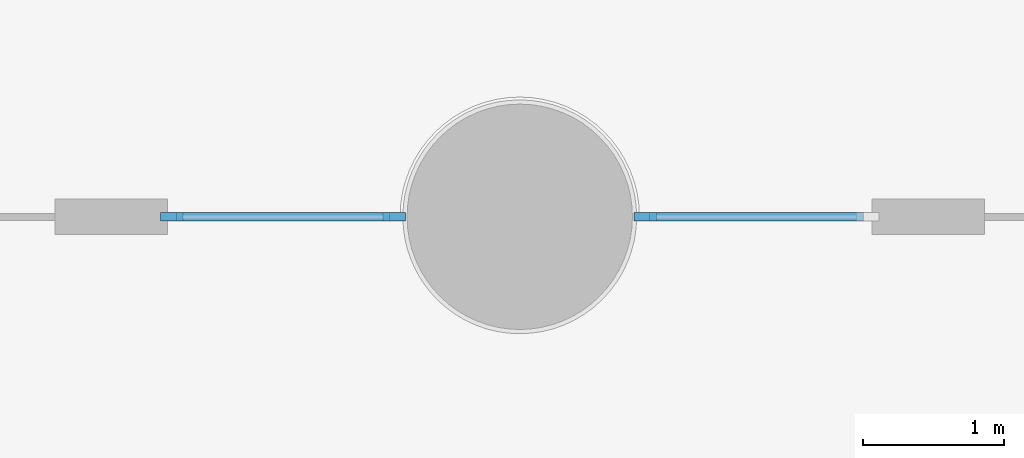
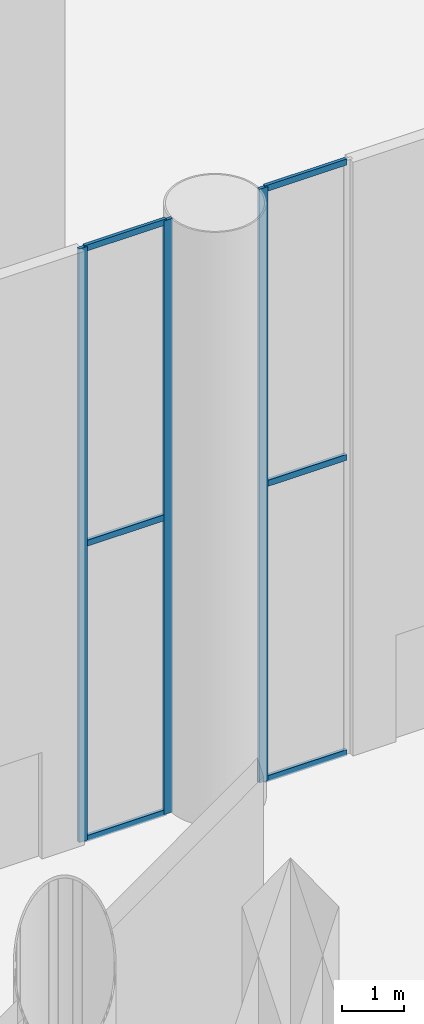
# One storey, part 7 of 52: 9 members, 2 elements without a shape of their own.
"""IFC4 building model written with IfcOpenShell, lengths in metres."""

import ifcopenshell
import ifcopenshell.guid

model = None  # the IFC model being written
_history = None  # IfcOwnerHistory: only IFC2X3 demands one
_inside = {}  # id of a spatial element -> (the spatial element, [elements in it])
_under = {}  # id of a project, library or spatial element -> (it, [spatial elements below it])
_declared = {}  # id of a project -> (the project, [libraries it declares])
_typed = {}  # id of a type object -> (the type object, [elements of that type])
_made_of = {}  # id of a material, layer set ... -> (it, [elements and type objects made of it])


def new_model(schema):
    """Start an empty IFC model of exactly this schema.

    Asked for "IFC4X3", IfcOpenShell would pick the latest addendum, in which some entities
    have other attributes; the version numbers below select the first issue.
    IFC2X3 requires an IfcOwnerHistory on every rooted entity: one is made here for all.
    """
    global model, _history
    if schema == "IFC4X3":
        model = ifcopenshell.file(schema_version=(4, 3, 0, 0))
    else:
        model = ifcopenshell.file(schema=schema)
    _inside.clear()
    _under.clear()
    _declared.clear()
    _typed.clear()
    _made_of.clear()
    _history = None
    if model.schema == "IFC2X3":
        org = make("IfcOrganization", Name="unknown")
        user = make(
            "IfcPersonAndOrganization",
            ThePerson=make("IfcPerson", FamilyName="unknown"),
            TheOrganization=org,
        )
        app = make(
            "IfcApplication",
            ApplicationDeveloper=org,
            Version="unknown",
            ApplicationFullName="unknown",
            ApplicationIdentifier="unknown",
        )
        _history = make(
            "IfcOwnerHistory",
            OwningUser=user,
            OwningApplication=app,
            ChangeAction="ADDED",
            CreationDate=0,
        )
    return model


def make(cls, **values):
    """One entity of the class cls with the attributes given. An attribute that is None is left unset."""
    return model.create_entity(
        cls, **{name: value for name, value in values.items() if value is not None}
    )


def rooted(cls, **values):
    """An entity with a GlobalId (a new one), such as an element, a storey or a relation."""
    return make(cls, GlobalId=ifcopenshell.guid.new(), OwnerHistory=_history, **values)


def si_unit(unit_type, name, prefix=None):
    """IfcSIUnit, for example si_unit("LENGTHUNIT", "METRE", prefix="MILLI")."""
    return make("IfcSIUnit", UnitType=unit_type, Prefix=prefix, Name=name)


def assignment(units):
    """IfcUnitAssignment: the units of a project."""
    return None if units is None else make("IfcUnitAssignment", Units=units)


def point(xyz):
    """IfcCartesianPoint."""
    return None if xyz is None else make("IfcCartesianPoint", Coordinates=xyz)


def direction(xyz):
    """IfcDirection."""
    return None if xyz is None else make("IfcDirection", DirectionRatios=xyz)


def frame(location, z_axis=None, x_axis=None):
    """IfcAxis2Placement3D, a coordinate frame: its origin and axes. An axis left out is left unset."""
    return make(
        "IfcAxis2Placement3D",
        Location=point(location),
        Axis=direction(z_axis),
        RefDirection=direction(x_axis),
    )


def frame_2d(location, x_axis=None):
    """IfcAxis2Placement2D, a coordinate frame in the plane: its origin and x axis."""
    return make(
        "IfcAxis2Placement2D", Location=point(location), RefDirection=direction(x_axis)
    )


def origin():
    """The frame at (0, 0, 0) with its axes left unset."""
    return frame((0.0, 0.0, 0.0))


def origin_2d():
    """The frame at (0, 0) in the plane with its x axis left unset."""
    return frame_2d((0.0, 0.0))


def place(relative_to, where):
    """IfcLocalPlacement: puts the frame where relative to a parent placement (None: the world)."""
    return make(
        "IfcLocalPlacement", PlacementRelTo=relative_to, RelativePlacement=where
    )


def context(
    kind, dimensions, precision=None, world=None, true_north=None, identifier=None
):
    """IfcGeometricRepresentationContext, for example the 3D "Model" context."""
    return make(
        "IfcGeometricRepresentationContext",
        ContextIdentifier=identifier,
        ContextType=kind,
        CoordinateSpaceDimension=dimensions,
        Precision=precision,
        WorldCoordinateSystem=world,
        TrueNorth=true_north,
    )


def subcontext(parent, identifier, kind, view, scale=None):
    """IfcGeometricRepresentationSubContext, for example "Body" below "Model"."""
    return make(
        "IfcGeometricRepresentationSubContext",
        ContextIdentifier=identifier,
        ContextType=kind,
        ParentContext=parent,
        TargetScale=scale,
        TargetView=view,
    )


def project(units=None, contexts=None):
    """IfcProject with its units and contexts."""
    return rooted(
        "IfcProject",
        Name="project",
        RepresentationContexts=contexts,
        UnitsInContext=assignment(units),
    )


def spatial(cls, under=None, at=None, **own):
    """A site, building, storey or space (cls), placed at a placement, below another one or the project."""
    s = rooted(cls, ObjectPlacement=at, **own)
    if under is not None:
        _under.setdefault(under.id(), (under, []))[1].append(s)
    return s


def profile(cls, at=None, kind="AREA", **sizes):
    """A parametric profile (cls). Its sizes go by their IFC names, for example OverallWidth=200.0."""
    return make(cls, ProfileType=kind, Position=at, **sizes)


def rectangle(**sizes):
    """IfcRectangleProfileDef."""
    return profile("IfcRectangleProfileDef", **sizes)


def extrude(swept, where, along, depth):
    """IfcExtrudedAreaSolid: the profile swept, set in the frame where, extruded along a direction by depth."""
    return make(
        "IfcExtrudedAreaSolid",
        SweptArea=swept,
        Position=where,
        ExtrudedDirection=direction(along),
        Depth=depth,
    )


def shape(context_of_items, identifier, shape_type, items):
    """IfcShapeRepresentation: the items that make up one representation, for example the "Body"."""
    return make(
        "IfcShapeRepresentation",
        ContextOfItems=context_of_items,
        RepresentationIdentifier=identifier,
        RepresentationType=shape_type,
        Items=items,
    )


def material(Name=None, Category=None):
    """IfcMaterial."""
    return make("IfcMaterial", Name=Name, Category=Category)


def material_profile(
    of_material, cross_section, Name=None, Category=None, Priority=None
):
    """IfcMaterialProfile: a cross section and its material."""
    return make(
        "IfcMaterialProfile",
        Name=Name,
        Material=of_material,
        Profile=cross_section,
        Priority=Priority,
        Category=Category,
    )


def profile_set(profiles, Name=None, composite=None):
    """IfcMaterialProfileSet."""
    return make(
        "IfcMaterialProfileSet",
        Name=Name,
        MaterialProfiles=profiles,
        CompositeProfile=composite,
    )


def made_of(thing, what):
    """Note that an element or type object is made of a material, layer set ...; save() writes the relation."""
    if what is not None:
        _made_of.setdefault(what.id(), (what, []))[1].append(thing)
    return thing


def type_object(cls, material=None, **own):
    """A type object (cls), such as IfcWallType, which elements share."""
    return made_of(rooted(cls, **own), material)


def element(
    cls,
    number,
    at=None,
    inside=None,
    cuts=None,
    type_object=None,
    material=None,
    context=None,
    identifier="Body",
    shape_type=None,
    held_by="IfcProductDefinitionShape",
    body=None,
    shapes=None,
    **own,
):
    """One element of the class cls, such as IfcWall. Its Tag is "e" and its number.

    at: its placement. inside: the storey or other place that contains it. cuts: it is an
    opening in that element (IfcRelVoidsElement). A single representation is given by context,
    identifier, shape_type and body (its items); several are given by shapes. held_by: the class
    of the entity that holds the representations. save() writes the other relations.
    """
    e = rooted(cls, Tag="e%d" % number, ObjectPlacement=at, **own)
    if body is not None:
        shapes = [shape(context, identifier, shape_type, body)]
    if shapes is not None:
        e.Representation = make(held_by, Representations=shapes)
    if inside is not None:
        _inside.setdefault(inside.id(), (inside, []))[1].append(e)
    if cuts is not None:
        rooted(
            "IfcRelVoidsElement", RelatingBuildingElement=cuts, RelatedOpeningElement=e
        )
    if type_object is not None:
        _typed.setdefault(type_object.id(), (type_object, []))[1].append(e)
    return made_of(e, material)


def aggregate(whole, parts):
    """IfcRelAggregates: a whole, such as a stair, and the parts it consists of."""
    return rooted("IfcRelAggregates", RelatingObject=whole, RelatedObjects=parts)


def save(model, path):
    """Write the relations noted so far, then the file.

    IfcRelAggregates (storeys below a building ...), IfcRelContainedInSpatialStructure (elements
    in a storey), IfcRelDefinesByType, IfcRelAssociatesMaterial and IfcRelDeclares: one each for
    every whole, place, type object, material and project.
    """
    for whole, parts in _under.values():
        aggregate(whole, parts)
    for where, things in _inside.values():
        rooted(
            "IfcRelContainedInSpatialStructure",
            RelatedElements=things,
            RelatingStructure=where,
        )
    for kind, things in _typed.values():
        rooted("IfcRelDefinesByType", RelatedObjects=things, RelatingType=kind)
    for what, things in _made_of.values():
        rooted("IfcRelAssociatesMaterial", RelatedObjects=things, RelatingMaterial=what)
    for by, libraries in _declared.values():
        rooted("IfcRelDeclares", RelatingContext=by, RelatedDefinitions=libraries)
    model.write(path)


model = new_model("IFC4")

# Units and contexts
model_context = context("Model", 3, precision=1e-05, world=origin(), true_north=direction((0.0, 1.0)))
body_context = subcontext(model_context, "Body", "Model", "MODEL_VIEW")
ifc_project = project(units=[si_unit("LENGTHUNIT", "METRE"), si_unit("AREAUNIT", "SQUARE_METRE"), si_unit("VOLUMEUNIT", "CUBIC_METRE"), si_unit("PLANEANGLEUNIT", "RADIAN"), si_unit("MASSUNIT", "GRAM", prefix="KILO")], contexts=[model_context])

# Site, building, storey
site_placement = place(None, origin())
site = spatial("IfcSite", under=ifc_project, at=site_placement, CompositionType="ELEMENT")
building_placement = place(site_placement, origin())
building = spatial("IfcBuilding", under=site, at=building_placement, Name="Cantera Rosa Tower", CompositionType="ELEMENT")
storey_placement = place(building_placement, origin())
storey = spatial("IfcBuildingStorey", under=building, at=storey_placement, Name="L00", CompositionType="ELEMENT", Elevation=0.0)

# Curtain wall, members
ifc_material_1 = material(Name="Glass", Category="glass")
curtain_wall_type = type_object("IfcCurtainWallType", Name="Pavilion curtain wall", PredefinedType="NOTDEFINED", material=ifc_material_1)
curtain_wall_1_placement = place(storey_placement, origin())
curtain_wall_1 = element("IfcCurtainWall", 1, at=curtain_wall_1_placement, inside=storey, type_object=curtain_wall_type, Name="Pavilion curtain wall HOTEL 3", PredefinedType="NOTDEFINED")
ifc_material_2 = material(Name="Aluminium", Category="aluminium")
ifc_material_profile_1 = material_profile(ifc_material_2, rectangle(XDim=0.06005859375, YDim=0.159912109375, at=origin_2d()), Name="Mullion pavilion 60x160")
ifc_profile_set_1 = profile_set([ifc_material_profile_1], Name="Aluminium")
member_type_1 = type_object("IfcMemberType", Name="Mullion pavilion 60x160", PredefinedType="MULLION", material=ifc_profile_set_1)
member_1_placement = place(storey_placement, frame((-2.469970703125, 21.0, 0.0), z_axis=(0.0, 0.0, 1.0), x_axis=(0.0, 1.0, 0.0)))
member_1 = element("IfcMember", 2, at=member_1_placement, type_object=member_type_1, Name="CW6 mullion 1", PredefinedType="MULLION", context=body_context, shape_type="SweptSolid", body=[
    extrude(rectangle(XDim=0.06005859375, YDim=0.159912109375, at=origin_2d()), origin(), (0.0, 0.0, 1.0), 11.699951171875),
])
member_2_placement = place(storey_placement, frame((-0.889892578125, 21.0, 0.0), z_axis=(0.0, 0.0, 1.0), x_axis=(0.0, 1.0, 0.0)))
member_2 = element("IfcMember", 3, at=member_2_placement, type_object=member_type_1, Name="CW6 mullion 2", PredefinedType="MULLION", context=body_context, shape_type="SweptSolid", body=[
    extrude(rectangle(XDim=0.06005859375, YDim=0.159912109375, at=origin_2d()), origin(), (0.0, 0.0, 1.0), 11.699951171875),
])

# Curtain wall, member
curtain_wall_2_placement = place(storey_placement, origin())
curtain_wall_2 = element("IfcCurtainWall", 4, at=curtain_wall_2_placement, inside=storey, type_object=curtain_wall_type, Name="Pavilion curtain wall HOTEL 3", PredefinedType="NOTDEFINED")
member_3_placement = place(storey_placement, frame((0.889892578125, 21.0, 0.0), z_axis=(0.0, 0.0, 1.0), x_axis=(0.0, 1.0, 0.0)))
member_3 = element("IfcMember", 5, at=member_3_placement, type_object=member_type_1, Name="CW6 mullion 1", PredefinedType="MULLION", context=body_context, shape_type="SweptSolid", body=[
    extrude(rectangle(XDim=0.06005859375, YDim=0.159912109375, at=origin_2d()), origin(), (0.0, 0.0, 1.0), 11.699951171875),
])

# Member
ifc_material_3 = material(Name="Aluminium", Category="aluminium")
ifc_material_profile_2 = material_profile(ifc_material_3, rectangle(XDim=0.06005859375, YDim=0.1201171875, at=origin_2d()), Name="Transom pavilion 60x120")
ifc_profile_set_2 = profile_set([ifc_material_profile_2], Name="Aluminium")
member_type_2 = type_object("IfcMemberType", Name="Transom pavilion 60x120", PredefinedType="USERDEFINED", material=ifc_profile_set_2)
member_4_placement = place(storey_placement, frame((-2.43994140625, 21.0, 0.030029296875), z_axis=(1.0, 0.0, 0.0), x_axis=(0.0, 1.0, 0.0)))
member_4 = element("IfcMember", 6, at=member_4_placement, type_object=member_type_2, Name="CW6 transom 1.1", ObjectType="TRANSOM", PredefinedType="USERDEFINED", context=body_context, shape_type="SweptSolid", body=[
    extrude(rectangle(XDim=0.06005859375, YDim=0.1201171875, at=origin_2d()), origin(), (0.0, 0.0, 1.0), 1.52001953125),
])

member_5_placement = place(storey_placement, frame((-2.43994140625, 21.0, 5.85009765625), z_axis=(1.0, 0.0, 0.0), x_axis=(0.0, 1.0, 0.0)))
member_5 = element("IfcMember", 7, at=member_5_placement, type_object=member_type_2, Name="CW6 transom 1.2", ObjectType="TRANSOM", PredefinedType="USERDEFINED", context=body_context, shape_type="SweptSolid", body=[
    extrude(rectangle(XDim=0.06005859375, YDim=0.1201171875, at=origin_2d()), origin(), (0.0, 0.0, 1.0), 1.52001953125),
])

member_6_placement = place(storey_placement, frame((-2.43994140625, 21.0, 11.669921875), z_axis=(1.0, 0.0, 0.0), x_axis=(0.0, 1.0, 0.0)))
member_6 = element("IfcMember", 8, at=member_6_placement, type_object=member_type_2, Name="CW6 transom 1.3", ObjectType="TRANSOM", PredefinedType="USERDEFINED", context=body_context, shape_type="SweptSolid", body=[
    extrude(rectangle(XDim=0.06005859375, YDim=0.1201171875, at=origin_2d()), origin(), (0.0, 0.0, 1.0), 1.52001953125),
])

aggregate(curtain_wall_1, [member_1, member_2, member_4, member_5, member_6])

member_7_placement = place(storey_placement, frame((0.919921875, 21.0, 0.030029296875), z_axis=(1.0, 0.0, 0.0), x_axis=(0.0, 1.0, 0.0)))
member_7 = element("IfcMember", 9, at=member_7_placement, type_object=member_type_2, Name="CW6 transom 1.1", ObjectType="TRANSOM", PredefinedType="USERDEFINED", context=body_context, shape_type="SweptSolid", body=[
    extrude(rectangle(XDim=0.06005859375, YDim=0.1201171875, at=origin_2d()), origin(), (0.0, 0.0, 1.0), 1.52001953125),
])

member_8_placement = place(storey_placement, frame((0.919921875, 21.0, 5.85009765625), z_axis=(1.0, 0.0, 0.0), x_axis=(0.0, 1.0, 0.0)))
member_8 = element("IfcMember", 10, at=member_8_placement, type_object=member_type_2, Name="CW6 transom 1.2", ObjectType="TRANSOM", PredefinedType="USERDEFINED", context=body_context, shape_type="SweptSolid", body=[
    extrude(rectangle(XDim=0.06005859375, YDim=0.1201171875, at=origin_2d()), origin(), (0.0, 0.0, 1.0), 1.52001953125),
])

member_9_placement = place(storey_placement, frame((0.919921875, 21.0, 11.669921875), z_axis=(1.0, 0.0, 0.0), x_axis=(0.0, 1.0, 0.0)))
member_9 = element("IfcMember", 11, at=member_9_placement, type_object=member_type_2, Name="CW6 transom 1.3", ObjectType="TRANSOM", PredefinedType="USERDEFINED", context=body_context, shape_type="SweptSolid", body=[
    extrude(rectangle(XDim=0.06005859375, YDim=0.1201171875, at=origin_2d()), origin(), (0.0, 0.0, 1.0), 1.52001953125),
])

aggregate(curtain_wall_2, [member_3, member_7, member_8, member_9])

save(model, "model.ifc")
